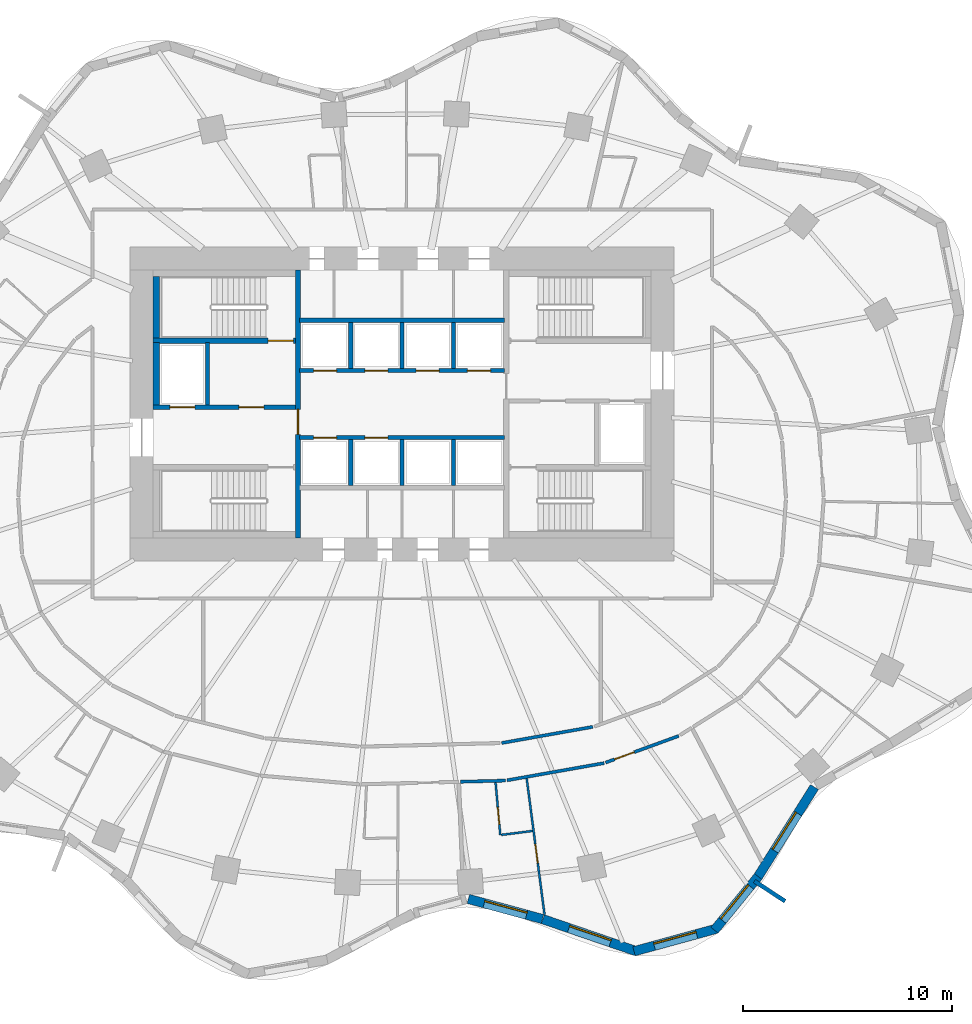
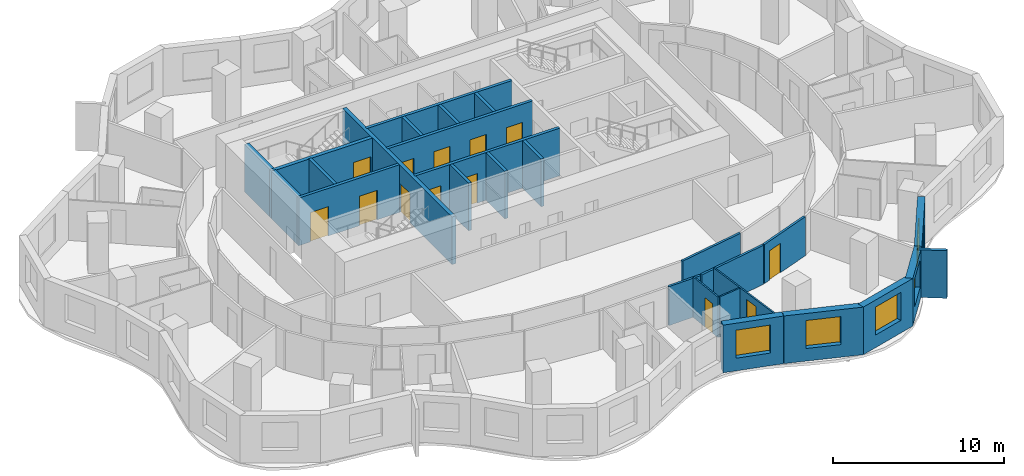
# One storey, part 5 of 10: 28 walls, 13 doors, 5 windows, 18 openings.
"""IFC4 building model written with IfcOpenShell, lengths in metres."""

from ifc_helpers import new_model, si_unit, direction, frame, frame_2d, origin, place, context, subcontext, project, spatial, rectangle, extrude, material, layer, layer_set, type_object, element, fill, save


model = new_model("IFC4")

# Units and contexts
model_context = context("Model", 3, precision=1e-05, world=origin(), true_north=direction((0.0, 1.0)))
body_context = subcontext(model_context, "Body", "Model", "MODEL_VIEW")
ifc_project = project(units=[si_unit("LENGTHUNIT", "METRE"), si_unit("AREAUNIT", "SQUARE_METRE"), si_unit("VOLUMEUNIT", "CUBIC_METRE"), si_unit("PLANEANGLEUNIT", "RADIAN"), si_unit("MASSUNIT", "GRAM", prefix="KILO")], contexts=[model_context])

# Site, building, storey
site_placement = place(None, origin())
site = spatial("IfcSite", under=ifc_project, at=site_placement, CompositionType="ELEMENT")
building_placement = place(site_placement, origin())
building = spatial("IfcBuilding", under=site, at=building_placement, Name="Rubra Terraces Tower", CompositionType="ELEMENT")
storey_placement = place(building_placement, frame((0.0, 0.0, 92.39990234375)))
storey = spatial("IfcBuildingStorey", under=building, at=storey_placement, Name="L21", CompositionType="ELEMENT", Elevation=92.39990234375)

# Wall, opening, window
ifc_material_1 = material(Name="Brick masonry red-brown", Category="masonry")
ifc_layer_1 = layer(ifc_material_1, 0.449951171875)
ifc_layer_set_1 = layer_set([ifc_layer_1], Name="Brick masonry red-brown")
wall_type_1 = type_object("IfcWallType", Name="Brick facade wall 450", PredefinedType="SOLIDWALL", material=ifc_layer_set_1)
wall_1_placement = place(storey_placement, frame((3.164306640625, -19.147216796875, 0.0), z_axis=(0.0, 0.0, 1.0), x_axis=(0.965039479998, -0.262104563191, 0.0)))
wall_1 = element("IfcWall", 1, at=wall_1_placement, inside=storey, type_object=wall_type_1, Name="Facade wall L21 bay 32", PredefinedType="SOLIDWALL", context=body_context, shape_type="SweptSolid", body=[
    extrude(rectangle(XDim=3.671875, YDim=0.449951171875, at=frame_2d((1.8359375, 0.0))), origin(), (0.0, 0.0, 1.0), 3.400146484375),
])
opening_1_placement = place(wall_1_placement, frame((0.785888671875, 0.0, 0.89990234375)))
opening_1 = element("IfcOpeningElement", 2, at=opening_1_placement, cuts=wall_1, Name="Opening W1", PredefinedType="OPENING", context=body_context, shape_type="SweptSolid", body=[
    extrude(rectangle(XDim=2.10009765625, YDim=2.0, at=frame_2d((1.050048828125, 1.0))), frame((0.0, 0.23486328125, 0.0), z_axis=(0.0, -1.0, 0.0), x_axis=(1.0, 0.0, 0.0)), (0.0, 0.0, 1.0), 0.469970703125),
])
ifc_material_2 = material(Name="Clear glass in aluminium frame", Category="aluminium")
window_type = type_object("IfcWindowType", Name="Fixed deep-set window 2100 x 2000", PartitioningType="SINGLE_PANEL", PredefinedType="WINDOW", material=ifc_material_2)
window_1_placement = place(opening_1_placement, origin())
window_1 = element("IfcWindow", 3, at=window_1_placement, inside=storey, type_object=window_type, Name="Window L21 bay 32", OverallHeight=2.0, OverallWidth=2.10009765625, PartitioningType="SINGLE_PANEL", PredefinedType="WINDOW", context=body_context, shape_type="SweptSolid", body=[
    extrude(rectangle(XDim=2.10009765625, YDim=2.0, at=frame_2d((1.050048828125, 1.0))), frame((0.0, 0.135009765625, 0.0), z_axis=(0.0, -1.0, 0.0), x_axis=(1.0, 0.0, 0.0)), (0.0, 0.0, 1.0), 0.06005859375),
])
fill(opening_1, window_1)

wall_2_placement = place(storey_placement, frame((6.722900390625, -20.114013671875, 0.0), z_axis=(0.0, 0.0, 1.0), x_axis=(0.945947299026, -0.324320377815, 0.0)))
wall_2 = element("IfcWall", 4, at=wall_2_placement, inside=storey, type_object=wall_type_1, Name="Facade wall L21 bay 33", PredefinedType="SOLIDWALL", context=body_context, shape_type="SweptSolid", body=[
    extrude(rectangle(XDim=4.74462890625, YDim=0.449951171875, at=frame_2d((2.372314453125, 0.0))), origin(), (0.0, 0.0, 1.0), 3.400146484375),
])
opening_2_placement = place(wall_2_placement, frame((1.322265625, 0.0, 0.89990234375)))
opening_2 = element("IfcOpeningElement", 5, at=opening_2_placement, cuts=wall_2, Name="Opening W1", PredefinedType="OPENING", context=body_context, shape_type="SweptSolid", body=[
    extrude(rectangle(XDim=2.10009765625, YDim=2.0, at=frame_2d((1.050048828125, 1.0))), frame((0.0, 0.23486328125, 0.0), z_axis=(0.0, -1.0, 0.0), x_axis=(1.0, 0.0, 0.0)), (0.0, 0.0, 1.0), 0.469970703125),
])
window_2_placement = place(opening_2_placement, origin())
window_2 = element("IfcWindow", 6, at=window_2_placement, inside=storey, type_object=window_type, Name="Window L21 bay 33", OverallHeight=2.0, OverallWidth=2.10009765625, PartitioningType="SINGLE_PANEL", PredefinedType="WINDOW", context=body_context, shape_type="SweptSolid", body=[
    extrude(rectangle(XDim=2.10009765625, YDim=2.0, at=frame_2d((1.050048828125, 1.0))), frame((0.0, 0.135009765625, 0.0), z_axis=(0.0, -1.0, 0.0), x_axis=(1.0, 0.0, 0.0)), (0.0, 0.0, 1.0), 0.06005859375),
])
fill(opening_2, window_2)

wall_3_placement = place(storey_placement, frame((11.08251953125, -21.64990234375, 0.0), z_axis=(0.0, 0.0, 1.0), x_axis=(0.964483204983, 0.264144179011, 0.0)))
wall_3 = element("IfcWall", 7, at=wall_3_placement, inside=storey, type_object=wall_type_1, Name="Facade wall L21 bay 34", PredefinedType="SOLIDWALL", context=body_context, shape_type="SweptSolid", body=[
    extrude(rectangle(XDim=4.103759765625, YDim=0.449951171875, at=frame_2d((2.0517578125, 0.0))), origin(), (0.0, 0.0, 1.0), 3.400146484375),
])
opening_3_placement = place(wall_3_placement, frame((1.001953125, 0.0, 0.89990234375)))
opening_3 = element("IfcOpeningElement", 8, at=opening_3_placement, cuts=wall_3, Name="Opening W1", PredefinedType="OPENING", context=body_context, shape_type="SweptSolid", body=[
    extrude(rectangle(XDim=2.10009765625, YDim=2.0, at=frame_2d((1.050048828125, 1.0))), frame((0.0, 0.23486328125, 0.0), z_axis=(0.0, -1.0, 0.0), x_axis=(1.0, 0.0, 0.0)), (0.0, 0.0, 1.0), 0.469970703125),
])
window_3_placement = place(opening_3_placement, origin())
window_3 = element("IfcWindow", 9, at=window_3_placement, inside=storey, type_object=window_type, Name="Window L21 bay 34", OverallHeight=2.0, OverallWidth=2.10009765625, PartitioningType="SINGLE_PANEL", PredefinedType="WINDOW", context=body_context, shape_type="SweptSolid", body=[
    extrude(rectangle(XDim=2.10009765625, YDim=2.0, at=frame_2d((1.050048828125, 1.0))), frame((0.0, 0.135009765625, 0.0), z_axis=(0.0, -1.0, 0.0), x_axis=(1.0, 0.0, 0.0)), (0.0, 0.0, 1.0), 0.06005859375),
])
fill(opening_3, window_3)

wall_4_placement = place(storey_placement, frame((14.925537109375, -20.640869140625, 0.0), z_axis=(0.0, 0.0, 1.0), x_axis=(0.631548074669, 0.775336720001, 0.0)))
wall_4 = element("IfcWall", 10, at=wall_4_placement, inside=storey, type_object=wall_type_1, Name="Facade wall L21 bay 35", PredefinedType="SOLIDWALL", context=body_context, shape_type="SweptSolid", body=[
    extrude(rectangle(XDim=3.3076171875, YDim=0.449951171875, at=frame_2d((1.65380859375, 0.0))), origin(), (0.0, 0.0, 1.0), 3.400146484375),
])
opening_4_placement = place(wall_4_placement, frame((0.603759765625, 0.0, 0.89990234375)))
opening_4 = element("IfcOpeningElement", 11, at=opening_4_placement, cuts=wall_4, Name="Opening W1", PredefinedType="OPENING", context=body_context, shape_type="SweptSolid", body=[
    extrude(rectangle(XDim=2.10009765625, YDim=2.0, at=frame_2d((1.050048828125, 1.0))), frame((0.0, 0.23486328125, 0.0), z_axis=(0.0, -1.0, 0.0), x_axis=(1.0, 0.0, 0.0)), (0.0, 0.0, 1.0), 0.469970703125),
])
window_4_placement = place(opening_4_placement, origin())
window_4 = element("IfcWindow", 12, at=window_4_placement, inside=storey, type_object=window_type, Name="Window L21 bay 35", OverallHeight=2.0, OverallWidth=2.10009765625, PartitioningType="SINGLE_PANEL", PredefinedType="WINDOW", context=body_context, shape_type="SweptSolid", body=[
    extrude(rectangle(XDim=2.10009765625, YDim=2.0, at=frame_2d((1.050048828125, 1.0))), frame((0.0, 0.135009765625, 0.0), z_axis=(0.0, -1.0, 0.0), x_axis=(1.0, 0.0, 0.0)), (0.0, 0.0, 1.0), 0.06005859375),
])
fill(opening_4, window_4)

wall_5_placement = place(storey_placement, frame((16.998291015625, -18.0986328125, 0.0), z_axis=(0.0, 0.0, 1.0), x_axis=(0.532745661304, 0.846275404559, 0.0)))
wall_5 = element("IfcWall", 13, at=wall_5_placement, inside=storey, type_object=wall_type_1, Name="Facade wall L21 bay 36", PredefinedType="SOLIDWALL", context=body_context, shape_type="SweptSolid", body=[
    extrude(rectangle(XDim=5.076171875, YDim=0.449951171875, at=frame_2d((2.5380859375, 0.0))), origin(), (0.0, 0.0, 1.0), 3.400146484375),
])
opening_5_placement = place(wall_5_placement, frame((1.488037109375, 0.0, 0.89990234375)))
opening_5 = element("IfcOpeningElement", 14, at=opening_5_placement, cuts=wall_5, Name="Opening W1", PredefinedType="OPENING", context=body_context, shape_type="SweptSolid", body=[
    extrude(rectangle(XDim=2.10009765625, YDim=2.0, at=frame_2d((1.050048828125, 1.0))), frame((0.0, 0.23486328125, 0.0), z_axis=(0.0, -1.0, 0.0), x_axis=(1.0, 0.0, 0.0)), (0.0, 0.0, 1.0), 0.469970703125),
])
window_5_placement = place(opening_5_placement, origin())
window_5 = element("IfcWindow", 15, at=window_5_placement, inside=storey, type_object=window_type, Name="Window L21 bay 36", OverallHeight=2.0, OverallWidth=2.10009765625, PartitioningType="SINGLE_PANEL", PredefinedType="WINDOW", context=body_context, shape_type="SweptSolid", body=[
    extrude(rectangle(XDim=2.10009765625, YDim=2.0, at=frame_2d((1.050048828125, 1.0))), frame((0.0, 0.135009765625, 0.0), z_axis=(0.0, -1.0, 0.0), x_axis=(1.0, 0.0, 0.0)), (0.0, 0.0, 1.0), 0.06005859375),
])
fill(opening_5, window_5)

# Walls
ifc_layer_2 = layer(ifc_material_1, 0.199951171875)
ifc_layer_set_2 = layer_set([ifc_layer_2], Name="Brick masonry red-brown")
wall_type_2 = type_object("IfcWallType", Name="Brick wind fin 200", PredefinedType="SOLIDWALL", material=ifc_layer_set_2)
wall_6_placement = place(storey_placement, frame((16.837890625, -18.298095703125, 0.0), z_axis=(0.0, 0.0, 1.0), x_axis=(0.835871900419, -0.548924554097, 0.0)))
element("IfcWall", 16, at=wall_6_placement, inside=storey, type_object=wall_type_2, Name="Wind fin L21 21", PredefinedType="SOLIDWALL", context=body_context, shape_type="SweptSolid", body=[
    extrude(rectangle(XDim=1.750244140625, YDim=0.199951171875, at=frame_2d((0.875, 0.0))), origin(), (0.0, 0.0, 1.0), 3.400146484375),
])
ifc_material_3 = material(Name="Plasterboard on steel stud, mineral wool infill", Category="steel")
ifc_layer_3 = layer(ifc_material_3, 0.14990234375)
ifc_layer_set_3 = layer_set([ifc_layer_3], Name="Plasterboard on steel stud, mineral wool infill")
wall_type_3 = type_object("IfcWallType", Name="CORRIDOR PARTITION 150", PredefinedType="PARTITIONING", material=ifc_layer_set_3)
wall_7_placement = place(storey_placement, frame((2.781494140625, -13.54931640625, 0.0), z_axis=(0.0, 0.0, 1.0), x_axis=(0.999665013714, 0.025881660615, 0.0)))
element("IfcWall", 17, at=wall_7_placement, inside=storey, type_object=wall_type_3, Name="PARTITION", PredefinedType="PARTITIONING", context=body_context, shape_type="SweptSolid", body=[
    extrude(rectangle(XDim=2.16015625, YDim=0.14990234375, at=frame_2d((1.080078125, 0.0))), origin(), (0.0, 0.0, 1.0), 2.7841796875),
])
wall_8_placement = place(storey_placement, frame((5.0146484375, -13.480224609375, 0.0), z_axis=(0.0, 0.0, 1.0), x_axis=(0.984637772103, 0.174609443467, 0.0)))
element("IfcWall", 18, at=wall_8_placement, inside=storey, type_object=wall_type_3, Name="PARTITION", PredefinedType="PARTITIONING", context=body_context, shape_type="SweptSolid", body=[
    extrude(rectangle(XDim=4.71484375, YDim=0.14990234375, at=frame_2d((2.357421875, 0.0))), origin(), (0.0, 0.0, 1.0), 2.7841796875),
])

# Wall, opening, door
wall_9_placement = place(storey_placement, frame((9.7275390625, -12.631103515625, 0.0), z_axis=(0.0, 0.0, 1.0), x_axis=(0.939626438181, 0.342201923826, 0.0)))
wall_9 = element("IfcWall", 19, at=wall_9_placement, inside=storey, type_object=wall_type_3, Name="PARTITION", PredefinedType="PARTITIONING", context=body_context, shape_type="SweptSolid", body=[
    extrude(rectangle(XDim=3.71630859375, YDim=0.14990234375, at=frame_2d((1.858154296875, 0.0))), origin(), (0.0, 0.0, 1.0), 2.7841796875),
])
opening_6_placement = place(wall_9_placement, frame((0.449951171875, 0.0, 0.0)))
opening_6 = element("IfcOpeningElement", 20, at=opening_6_placement, cuts=wall_9, Name="Opening 21-120", PredefinedType="OPENING", context=body_context, shape_type="SweptSolid", body=[
    extrude(rectangle(XDim=1.0, YDim=2.10009765625, at=frame_2d((0.5, 1.050048828125))), frame((0.0, 0.0849609375, 0.0), z_axis=(0.0, -1.0, 0.0), x_axis=(1.0, 0.0, 0.0)), (0.0, 0.0, 1.0), 0.169921875),
])
ifc_material_4 = material(Name="Painted timber door leaf", Category="wood")
door_type_1 = type_object("IfcDoorType", Name="ROOM DOOR 1000 X 2100", OperationType="SINGLE_SWING_LEFT", PredefinedType="DOOR", material=ifc_material_4)
door_1_placement = place(opening_6_placement, origin())
door_1 = element("IfcDoor", 21, at=door_1_placement, inside=storey, type_object=door_type_1, Name="DOOR 21-120", OperationType="SINGLE_SWING_RIGHT", OverallHeight=2.10009765625, OverallWidth=1.0, PredefinedType="DOOR", context=body_context, shape_type="SweptSolid", body=[
    extrude(rectangle(XDim=1.0, YDim=2.10009765625, at=frame_2d((0.5, 1.050048828125))), frame((0.0, 0.02490234375, 0.0), z_axis=(0.0, -1.0, 0.0), x_axis=(1.0, 0.0, 0.0)), (0.0, 0.0, 1.0), 0.050048828125),
])
fill(opening_6, door_1)

# Walls
wall_10_placement = place(storey_placement, frame((9.114501953125, -10.925048828125, 0.0), z_axis=(0.0, 0.0, 1.0), x_axis=(-0.984632605417, -0.174638576352, 0.0)))
element("IfcWall", 22, at=wall_10_placement, inside=storey, type_object=wall_type_3, Name="PARTITION", PredefinedType="PARTITIONING", context=body_context, shape_type="SweptSolid", body=[
    extrude(rectangle(XDim=4.423095703125, YDim=0.14990234375, at=frame_2d((2.21142578125, 0.0))), origin(), (0.0, 0.0, 1.0), 2.7841796875),
])
ifc_material_5 = material(Name="Concrete C40", Category="concrete")
ifc_layer_4 = layer(ifc_material_5, 0.300048828125)
ifc_layer_set_4 = layer_set([ifc_layer_4], Name="Concrete C40")
wall_type_4 = type_object("IfcWallType", Name="Core lining wall 300 concrete", PredefinedType="SOLIDWALL", material=ifc_layer_set_4)
wall_11_placement = place(storey_placement, frame((-11.75, 4.449951171875, 0.0), z_axis=(0.0, 0.0, 1.0), x_axis=(0.0, 1.0, 0.0)))
element("IfcWall", 23, at=wall_11_placement, inside=storey, type_object=wall_type_4, Name="CORE LINING WALL L21", PredefinedType="SOLIDWALL", context=body_context, shape_type="SweptSolid", body=[
    extrude(rectangle(XDim=3.0, YDim=0.300048828125, at=frame_2d((1.5, 0.0))), origin(), (0.0, 0.0, 1.0), 3.400146484375),
])
wall_12_placement = place(storey_placement, frame((-11.75, 7.64990234375, 0.0), z_axis=(0.0, 0.0, 1.0), x_axis=(0.0, 1.0, 0.0)))
element("IfcWall", 24, at=wall_12_placement, inside=storey, type_object=wall_type_4, Name="CORE LINING WALL L21", PredefinedType="SOLIDWALL", context=body_context, shape_type="SweptSolid", body=[
    extrude(rectangle(XDim=2.9501953125, YDim=0.300048828125, at=frame_2d((1.47509765625, 0.0))), origin(), (0.0, 0.0, 1.0), 3.400146484375),
])

# Wall, openings, doors
ifc_material_6 = material(Name="Concrete C30", Category="concrete")
ifc_layer_5 = layer(ifc_material_6, 0.199951171875)
ifc_layer_set_5 = layer_set([ifc_layer_5], Name="Concrete C30")
wall_type_5 = type_object("IfcWallType", Name="Core wall 200 concrete", PredefinedType="SOLIDWALL", material=ifc_layer_set_5)
wall_13_placement = place(storey_placement, frame((-11.89990234375, 4.35009765625, 0.0), z_axis=(0.0, 0.0, 1.0), x_axis=(1.0, 0.0, 0.0)))
wall_13 = element("IfcWall", 25, at=wall_13_placement, inside=storey, type_object=wall_type_5, Name="STAIR WALL L21", PredefinedType="SOLIDWALL", context=body_context, shape_type="SweptSolid", body=[
    extrude(rectangle(XDim=6.7998046875, YDim=0.199951171875, at=frame_2d((3.39990234375, 0.0))), origin(), (0.0, 0.0, 1.0), 3.400146484375),
])
opening_7_placement = place(wall_13_placement, frame((4.10009765625, 0.0, 0.0)))
opening_7 = element("IfcOpeningElement", 26, at=opening_7_placement, cuts=wall_13, Name="Opening L21.C05", PredefinedType="OPENING", context=body_context, shape_type="SweptSolid", body=[
    extrude(rectangle(XDim=1.199951171875, YDim=2.10009765625, at=frame_2d((0.60009765625, 1.050048828125))), frame((0.0, 0.10986328125, 0.0), z_axis=(0.0, -1.0, 0.0), x_axis=(1.0, 0.0, 0.0)), (0.0, 0.0, 1.0), 0.219970703125),
])
opening_8_placement = place(wall_13_placement, frame((0.800048828125, 0.0, 0.0)))
opening_8 = element("IfcOpeningElement", 27, at=opening_8_placement, cuts=wall_13, Name="Opening L21.C11", PredefinedType="OPENING", context=body_context, shape_type="SweptSolid", body=[
    extrude(rectangle(XDim=1.199951171875, YDim=2.10009765625, at=frame_2d((0.60009765625, 1.050048828125))), frame((0.0, 0.10986328125, 0.0), z_axis=(0.0, -1.0, 0.0), x_axis=(1.0, 0.0, 0.0)), (0.0, 0.0, 1.0), 0.219970703125),
])
ifc_material_7 = material(Name="Painted steel", Category="steel")
door_type_2 = type_object("IfcDoorType", Name="Fire door 1200x2100 single", OperationType="NOTDEFINED", PredefinedType="DOOR", material=ifc_material_7)
door_2_placement = place(opening_7_placement, origin())
door_2 = element("IfcDoor", 28, at=door_2_placement, inside=storey, type_object=door_type_2, Name="Stair vestibule door S2", OperationType="SINGLE_SWING_LEFT", OverallHeight=2.10009765625, OverallWidth=1.199951171875, PredefinedType="DOOR", context=body_context, shape_type="SweptSolid", body=[
    extrude(rectangle(XDim=1.199951171875, YDim=2.10009765625, at=frame_2d((0.60009765625, 1.050048828125))), frame((0.0, 0.02490234375, 0.0), z_axis=(0.0, -1.0, 0.0), x_axis=(1.0, 0.0, 0.0)), (0.0, 0.0, 1.0), 0.050048828125),
])
fill(opening_7, door_2)
ifc_material_8 = material(Name="Stainless steel", Category="steel")
door_type_3 = type_object("IfcDoorType", Name="Lift landing door 1200x2100", OperationType="NOTDEFINED", PredefinedType="DOOR", material=ifc_material_8)
door_3_placement = place(opening_8_placement, origin())
door_3 = element("IfcDoor", 29, at=door_3_placement, inside=storey, type_object=door_type_3, Name="Landing door FF1", OperationType="SLIDING_TO_RIGHT", OverallHeight=2.10009765625, OverallWidth=1.199951171875, PredefinedType="DOOR", context=body_context, shape_type="SweptSolid", body=[
    extrude(rectangle(XDim=1.199951171875, YDim=2.10009765625, at=frame_2d((0.60009765625, 1.050048828125))), frame((0.0, 0.02490234375, 0.0), z_axis=(0.0, -1.0, 0.0), x_axis=(1.0, 0.0, 0.0)), (0.0, 0.0, 1.0), 0.050048828125),
])
fill(opening_8, door_3)

# Wall
wall_14_placement = place(storey_placement, frame((-9.300048828125, 4.449951171875, 0.0), z_axis=(0.0, 0.0, 1.0), x_axis=(0.0, 1.0, 0.0)))
element("IfcWall", 30, at=wall_14_placement, inside=storey, type_object=wall_type_5, Name="STAIR WALL L21", PredefinedType="SOLIDWALL", context=body_context, shape_type="SweptSolid", body=[
    extrude(rectangle(XDim=3.0, YDim=0.199951171875, at=frame_2d((1.5, 0.0))), origin(), (0.0, 0.0, 1.0), 3.400146484375),
])

# Wall, openings, doors
wall_15_placement = place(storey_placement, frame((-4.89990234375, 2.89990234375, 0.0), z_axis=(0.0, 0.0, 1.0), x_axis=(1.0, 0.0, 0.0)))
wall_15 = element("IfcWall", 31, at=wall_15_placement, inside=storey, type_object=wall_type_5, Name="LIFT SHAFT WALL L21", PredefinedType="SOLIDWALL", context=body_context, shape_type="SweptSolid", body=[
    extrude(rectangle(XDim=9.7998046875, YDim=0.199951171875, at=frame_2d((4.89990234375, 0.0))), origin(), (0.0, 0.0, 1.0), 3.400146484375),
])
opening_9_placement = place(wall_15_placement, frame((0.675048828125, 0.0, 0.0)))
opening_9 = element("IfcOpeningElement", 32, at=opening_9_placement, cuts=wall_15, Name="Opening L21.C13", PredefinedType="OPENING", context=body_context, shape_type="SweptSolid", body=[
    extrude(rectangle(XDim=1.10009765625, YDim=2.10009765625, at=frame_2d((0.550048828125, 1.050048828125))), frame((0.0, 0.10986328125, 0.0), z_axis=(0.0, -1.0, 0.0), x_axis=(1.0, 0.0, 0.0)), (0.0, 0.0, 1.0), 0.219970703125),
])
opening_10_placement = place(wall_15_placement, frame((3.125, 0.0, 0.0)))
opening_10 = element("IfcOpeningElement", 33, at=opening_10_placement, cuts=wall_15, Name="Opening L21.C14", PredefinedType="OPENING", context=body_context, shape_type="SweptSolid", body=[
    extrude(rectangle(XDim=1.10009765625, YDim=2.10009765625, at=frame_2d((0.550048828125, 1.050048828125))), frame((0.0, 0.10986328125, 0.0), z_axis=(0.0, -1.0, 0.0), x_axis=(1.0, 0.0, 0.0)), (0.0, 0.0, 1.0), 0.219970703125),
])
door_type_4 = type_object("IfcDoorType", Name="Lift landing door 1100x2100", OperationType="NOTDEFINED", PredefinedType="DOOR", material=ifc_material_8)
door_4_placement = place(opening_9_placement, origin())
door_4 = element("IfcDoor", 34, at=door_4_placement, inside=storey, type_object=door_type_4, Name="Landing door LB1", OperationType="SLIDING_TO_RIGHT", OverallHeight=2.10009765625, OverallWidth=1.10009765625, PredefinedType="DOOR", context=body_context, shape_type="SweptSolid", body=[
    extrude(rectangle(XDim=1.10009765625, YDim=2.10009765625, at=frame_2d((0.550048828125, 1.050048828125))), frame((0.0, 0.02490234375, 0.0), z_axis=(0.0, -1.0, 0.0), x_axis=(1.0, 0.0, 0.0)), (0.0, 0.0, 1.0), 0.050048828125),
])
fill(opening_9, door_4)
door_5_placement = place(opening_10_placement, origin())
door_5 = element("IfcDoor", 35, at=door_5_placement, inside=storey, type_object=door_type_4, Name="Landing door LB2", OperationType="SLIDING_TO_LEFT", OverallHeight=2.10009765625, OverallWidth=1.10009765625, PredefinedType="DOOR", context=body_context, shape_type="SweptSolid", body=[
    extrude(rectangle(XDim=1.10009765625, YDim=2.10009765625, at=frame_2d((0.550048828125, 1.050048828125))), frame((0.0, 0.02490234375, 0.0), z_axis=(0.0, -1.0, 0.0), x_axis=(1.0, 0.0, 0.0)), (0.0, 0.0, 1.0), 0.050048828125),
])
fill(opening_10, door_5)

wall_16_placement = place(storey_placement, frame((-4.89990234375, 6.10009765625, 0.0), z_axis=(0.0, 0.0, 1.0), x_axis=(1.0, 0.0, 0.0)))
wall_16 = element("IfcWall", 36, at=wall_16_placement, inside=storey, type_object=wall_type_5, Name="LIFT SHAFT WALL L21", PredefinedType="SOLIDWALL", context=body_context, shape_type="SweptSolid", body=[
    extrude(rectangle(XDim=9.7998046875, YDim=0.199951171875, at=frame_2d((4.89990234375, 0.0))), origin(), (0.0, 0.0, 1.0), 3.400146484375),
])
opening_11_placement = place(wall_16_placement, frame((0.675048828125, 0.0, 0.0)))
opening_11 = element("IfcOpeningElement", 37, at=opening_11_placement, cuts=wall_16, Name="Opening L21.C15", PredefinedType="OPENING", context=body_context, shape_type="SweptSolid", body=[
    extrude(rectangle(XDim=1.10009765625, YDim=2.10009765625, at=frame_2d((0.550048828125, 1.050048828125))), frame((0.0, 0.10986328125, 0.0), z_axis=(0.0, -1.0, 0.0), x_axis=(1.0, 0.0, 0.0)), (0.0, 0.0, 1.0), 0.219970703125),
])
opening_12_placement = place(wall_16_placement, frame((3.125, 0.0, 0.0)))
opening_12 = element("IfcOpeningElement", 38, at=opening_12_placement, cuts=wall_16, Name="Opening L21.C16", PredefinedType="OPENING", context=body_context, shape_type="SweptSolid", body=[
    extrude(rectangle(XDim=1.10009765625, YDim=2.10009765625, at=frame_2d((0.550048828125, 1.050048828125))), frame((0.0, 0.10986328125, 0.0), z_axis=(0.0, -1.0, 0.0), x_axis=(1.0, 0.0, 0.0)), (0.0, 0.0, 1.0), 0.219970703125),
])
opening_13_placement = place(wall_16_placement, frame((5.574951171875, 0.0, 0.0)))
opening_13 = element("IfcOpeningElement", 39, at=opening_13_placement, cuts=wall_16, Name="Opening L21.C17", PredefinedType="OPENING", context=body_context, shape_type="SweptSolid", body=[
    extrude(rectangle(XDim=1.10009765625, YDim=2.10009765625, at=frame_2d((0.550048828125, 1.050048828125))), frame((0.0, 0.10986328125, 0.0), z_axis=(0.0, -1.0, 0.0), x_axis=(1.0, 0.0, 0.0)), (0.0, 0.0, 1.0), 0.219970703125),
])
opening_14_placement = place(wall_16_placement, frame((8.02490234375, 0.0, 0.0)))
opening_14 = element("IfcOpeningElement", 40, at=opening_14_placement, cuts=wall_16, Name="Opening L21.C18", PredefinedType="OPENING", context=body_context, shape_type="SweptSolid", body=[
    extrude(rectangle(XDim=1.10009765625, YDim=2.10009765625, at=frame_2d((0.550048828125, 1.050048828125))), frame((0.0, 0.10986328125, 0.0), z_axis=(0.0, -1.0, 0.0), x_axis=(1.0, 0.0, 0.0)), (0.0, 0.0, 1.0), 0.219970703125),
])
door_6_placement = place(opening_11_placement, origin())
door_6 = element("IfcDoor", 41, at=door_6_placement, inside=storey, type_object=door_type_4, Name="Landing door LB3", OperationType="SLIDING_TO_RIGHT", OverallHeight=2.10009765625, OverallWidth=1.10009765625, PredefinedType="DOOR", context=body_context, shape_type="SweptSolid", body=[
    extrude(rectangle(XDim=1.10009765625, YDim=2.10009765625, at=frame_2d((0.550048828125, 1.050048828125))), frame((0.0, 0.02490234375, 0.0), z_axis=(0.0, -1.0, 0.0), x_axis=(1.0, 0.0, 0.0)), (0.0, 0.0, 1.0), 0.050048828125),
])
fill(opening_11, door_6)
door_7_placement = place(opening_12_placement, origin())
door_7 = element("IfcDoor", 42, at=door_7_placement, inside=storey, type_object=door_type_4, Name="Landing door LB4", OperationType="SLIDING_TO_LEFT", OverallHeight=2.10009765625, OverallWidth=1.10009765625, PredefinedType="DOOR", context=body_context, shape_type="SweptSolid", body=[
    extrude(rectangle(XDim=1.10009765625, YDim=2.10009765625, at=frame_2d((0.550048828125, 1.050048828125))), frame((0.0, 0.02490234375, 0.0), z_axis=(0.0, -1.0, 0.0), x_axis=(1.0, 0.0, 0.0)), (0.0, 0.0, 1.0), 0.050048828125),
])
fill(opening_12, door_7)
door_8_placement = place(opening_13_placement, origin())
door_8 = element("IfcDoor", 43, at=door_8_placement, inside=storey, type_object=door_type_4, Name="Landing door LB5", OperationType="SLIDING_TO_RIGHT", OverallHeight=2.10009765625, OverallWidth=1.10009765625, PredefinedType="DOOR", context=body_context, shape_type="SweptSolid", body=[
    extrude(rectangle(XDim=1.10009765625, YDim=2.10009765625, at=frame_2d((0.550048828125, 1.050048828125))), frame((0.0, 0.02490234375, 0.0), z_axis=(0.0, -1.0, 0.0), x_axis=(1.0, 0.0, 0.0)), (0.0, 0.0, 1.0), 0.050048828125),
])
fill(opening_13, door_8)
door_9_placement = place(opening_14_placement, origin())
door_9 = element("IfcDoor", 44, at=door_9_placement, inside=storey, type_object=door_type_4, Name="Landing door LB6", OperationType="SLIDING_TO_LEFT", OverallHeight=2.10009765625, OverallWidth=1.10009765625, PredefinedType="DOOR", context=body_context, shape_type="SweptSolid", body=[
    extrude(rectangle(XDim=1.10009765625, YDim=2.10009765625, at=frame_2d((0.550048828125, 1.050048828125))), frame((0.0, 0.02490234375, 0.0), z_axis=(0.0, -1.0, 0.0), x_axis=(1.0, 0.0, 0.0)), (0.0, 0.0, 1.0), 0.050048828125),
])
fill(opening_14, door_9)

# Walls
wall_17_placement = place(storey_placement, frame((-4.89990234375, 8.5, 0.0), z_axis=(0.0, 0.0, 1.0), x_axis=(1.0, 0.0, 0.0)))
element("IfcWall", 45, at=wall_17_placement, inside=storey, type_object=wall_type_5, Name="LIFT SHAFT WALL L21", PredefinedType="SOLIDWALL", context=body_context, shape_type="SweptSolid", body=[
    extrude(rectangle(XDim=9.7998046875, YDim=0.199951171875, at=frame_2d((4.89990234375, 0.0))), origin(), (0.0, 0.0, 1.0), 3.400146484375),
])
for number, where, z_axis, x_axis, name in (
    (46, (-2.449951171875, 0.60009765625, 0.0), (0.0, 0.0, 1.0), (0.0, 1.0, 0.0), "LIFT SHAFT WALL L21"),
    (47, (0.0, 0.60009765625, 0.0), (0.0, 0.0, 1.0), (0.0, 1.0, 0.0), "LIFT SHAFT WALL L21"),
    (48, (2.449951171875, 0.60009765625, 0.0), (0.0, 0.0, 1.0), (0.0, 1.0, 0.0), "LIFT SHAFT WALL L21"),
    (49, (-2.449951171875, 6.199951171875, 0.0), (0.0, 0.0, 1.0), (0.0, 1.0, 0.0), "LIFT SHAFT WALL L21"),
    (50, (0.0, 6.199951171875, 0.0), (0.0, 0.0, 1.0), (0.0, 1.0, 0.0), "LIFT SHAFT WALL L21"),
    (51, (2.449951171875, 6.199951171875, 0.0), (0.0, 0.0, 1.0), (0.0, 1.0, 0.0), "LIFT SHAFT WALL L21"),
):
    element("IfcWall", number, at=place(storey_placement, frame(where, z_axis=z_axis, x_axis=x_axis)), inside=storey, type_object=wall_type_5, Name=name, PredefinedType="SOLIDWALL", context=body_context, shape_type="SweptSolid", body=[
        extrude(rectangle(XDim=2.199951171875, YDim=0.199951171875, at=frame_2d((1.10009765625, 0.0))), origin(), (0.0, 0.0, 1.0), 3.400146484375),
    ])

# Wall, opening, door
ifc_material_9 = material(Name="Plasterboard on steel stud", Category="steel")
ifc_layer_6 = layer(ifc_material_9, 0.10009765625)
ifc_layer_set_6 = layer_set([ifc_layer_6], Name="Plasterboard on steel stud")
wall_type_6 = type_object("IfcWallType", Name="ROOM PARTITION 100", PredefinedType="PARTITIONING", material=ifc_layer_set_6)
wall_18_placement = place(storey_placement, frame((6.80712890625, -19.905029296875, 0.0), z_axis=(0.0, 0.0, 1.0), x_axis=(-0.129895112789, 0.991527740244, 0.0)))
wall_18 = element("IfcWall", 52, at=wall_18_placement, inside=storey, type_object=wall_type_6, Name="PARTITION", PredefinedType="PARTITIONING", context=body_context, shape_type="SweptSolid", body=[
    extrude(rectangle(XDim=6.57080078125, YDim=0.10009765625, at=frame_2d((3.285400390625, 0.0))), origin(), (0.0, 0.0, 1.0), 2.884033203125),
])
opening_15_placement = place(wall_18_placement, frame((2.49609375, 0.0, 0.0)))
opening_15 = element("IfcOpeningElement", 53, at=opening_15_placement, cuts=wall_18, Name="Opening 21-119", PredefinedType="OPENING", context=body_context, shape_type="SweptSolid", body=[
    extrude(rectangle(XDim=0.89990234375, YDim=2.39990234375, at=frame_2d((0.449951171875, 1.199951171875))), frame((0.0, 0.06005859375, 0.0), z_axis=(0.0, -1.0, 0.0), x_axis=(1.0, 0.0, 0.0)), (0.0, 0.0, 1.0), 0.1201171875),
])
ifc_material_10 = material(Name="Veneered timber door leaf, fire-rated", Category="wood")
door_type_5 = type_object("IfcDoorType", Name="SUITE ENTRANCE DOOR 900 X 2400", OperationType="SINGLE_SWING_LEFT", PredefinedType="DOOR", material=ifc_material_10)
door_10_placement = place(opening_15_placement, origin())
door_10 = element("IfcDoor", 54, at=door_10_placement, inside=storey, type_object=door_type_5, Name="DOOR 21-119", OperationType="SINGLE_SWING_LEFT", OverallHeight=2.39990234375, OverallWidth=0.89990234375, PredefinedType="DOOR", context=body_context, shape_type="SweptSolid", body=[
    extrude(rectangle(XDim=0.89990234375, YDim=2.39990234375, at=frame_2d((0.449951171875, 1.199951171875))), frame((0.0, 0.02490234375, 0.0), z_axis=(0.0, -1.0, 0.0), x_axis=(1.0, 0.0, 0.0)), (0.0, 0.0, 1.0), 0.050048828125),
])
fill(opening_15, door_10)

wall_19_placement = place(storey_placement, frame((4.46630859375, -13.58056640625, 0.0), z_axis=(0.0, 0.0, 1.0), x_axis=(0.089541778651, -0.995983067063, 0.0)))
wall_19 = element("IfcWall", 55, at=wall_19_placement, inside=storey, type_object=wall_type_6, Name="PARTITION", PredefinedType="PARTITIONING", context=body_context, shape_type="SweptSolid", body=[
    extrude(rectangle(XDim=2.52490234375, YDim=0.10009765625, at=frame_2d((1.262451171875, 0.0))), origin(), (0.0, 0.0, 1.0), 2.884033203125),
])
opening_16_placement = place(wall_19_placement, frame((1.199951171875, 0.0, 0.0)))
opening_16 = element("IfcOpeningElement", 56, at=opening_16_placement, cuts=wall_19, Name="Opening 21-118", PredefinedType="OPENING", context=body_context, shape_type="SweptSolid", body=[
    extrude(rectangle(XDim=0.800048828125, YDim=2.10009765625, at=frame_2d((0.39990234375, 1.050048828125))), frame((0.0, 0.06005859375, 0.0), z_axis=(0.0, -1.0, 0.0), x_axis=(1.0, 0.0, 0.0)), (0.0, 0.0, 1.0), 0.1201171875),
])
door_type_6 = type_object("IfcDoorType", Name="BATHROOM DOOR 800 X 2100", OperationType="SINGLE_SWING_LEFT", PredefinedType="DOOR", material=ifc_material_4)
door_11_placement = place(opening_16_placement, origin())
door_11 = element("IfcDoor", 57, at=door_11_placement, inside=storey, type_object=door_type_6, Name="DOOR 21-118", OperationType="SINGLE_SWING_LEFT", OverallHeight=2.10009765625, OverallWidth=0.800048828125, PredefinedType="DOOR", context=body_context, shape_type="SweptSolid", body=[
    extrude(rectangle(XDim=0.800048828125, YDim=2.10009765625, at=frame_2d((0.39990234375, 1.050048828125))), frame((0.0, 0.02490234375, 0.0), z_axis=(0.0, -1.0, 0.0), x_axis=(1.0, 0.0, 0.0)), (0.0, 0.0, 1.0), 0.050048828125),
])
fill(opening_16, door_11)

# Wall
wall_20_placement = place(storey_placement, frame((4.741943359375, -16.089111328125, 0.0), z_axis=(0.0, 0.0, 1.0), x_axis=(0.992013080374, 0.126135040205, 0.0)))
element("IfcWall", 58, at=wall_20_placement, inside=storey, type_object=wall_type_6, Name="PARTITION", PredefinedType="PARTITIONING", context=body_context, shape_type="SweptSolid", body=[
    extrude(rectangle(XDim=1.501953125, YDim=0.10009765625, at=frame_2d((0.7509765625, 0.0))), origin(), (0.0, 0.0, 1.0), 2.884033203125),
])

# Wall, opening, door
ifc_layer_7 = layer(ifc_material_5, 0.25)
ifc_layer_set_7 = layer_set([ifc_layer_7], Name="Concrete C40")
wall_type_7 = type_object("IfcWallType", Name="Stair enclosure wall 250 concrete", PredefinedType="SOLIDWALL", material=ifc_layer_set_7)
wall_21_placement = place(storey_placement, frame((-11.89990234375, 7.52490234375, 0.0), z_axis=(0.0, 0.0, 1.0), x_axis=(1.0, 0.0, 0.0)))
wall_21 = element("IfcWall", 59, at=wall_21_placement, inside=storey, type_object=wall_type_7, Name="STAIR WALL L21", PredefinedType="SOLIDWALL", context=body_context, shape_type="SweptSolid", body=[
    extrude(rectangle(XDim=6.7998046875, YDim=0.25, at=frame_2d((3.39990234375, 0.0))), origin(), (0.0, 0.0, 1.0), 3.400146484375),
])
opening_17_placement = place(wall_21_placement, frame((5.5, 0.0, 0.0)))
opening_17 = element("IfcOpeningElement", 60, at=opening_17_placement, cuts=wall_21, Name="Opening L21.C09", PredefinedType="OPENING", context=body_context, shape_type="SweptSolid", body=[
    extrude(rectangle(XDim=1.199951171875, YDim=2.10009765625, at=frame_2d((0.60009765625, 1.050048828125))), frame((0.0, 0.135009765625, 0.0), z_axis=(0.0, -1.0, 0.0), x_axis=(1.0, 0.0, 0.0)), (0.0, 0.0, 1.0), 0.27001953125),
])
door_12_placement = place(opening_17_placement, origin())
door_12 = element("IfcDoor", 61, at=door_12_placement, inside=storey, type_object=door_type_2, Name="Stair door S2", OperationType="SINGLE_SWING_LEFT", OverallHeight=2.10009765625, OverallWidth=1.199951171875, PredefinedType="DOOR", context=body_context, shape_type="SweptSolid", body=[
    extrude(rectangle(XDim=1.199951171875, YDim=2.10009765625, at=frame_2d((0.60009765625, 1.050048828125))), frame((0.0, 0.02490234375, 0.0), z_axis=(0.0, -1.0, 0.0), x_axis=(1.0, 0.0, 0.0)), (0.0, 0.0, 1.0), 0.050048828125),
])
fill(opening_17, door_12)

wall_22_placement = place(storey_placement, frame((-4.97509765625, -1.89990234375, 0.0), z_axis=(0.0, 0.0, 1.0), x_axis=(0.0, 1.0, 0.0)))
wall_22 = element("IfcWall", 62, at=wall_22_placement, inside=storey, type_object=wall_type_7, Name="CORE LOBBY WALL L21", PredefinedType="SOLIDWALL", context=body_context, shape_type="SweptSolid", body=[
    extrude(rectangle(XDim=12.7998046875, YDim=0.25, at=frame_2d((6.39990234375, 0.0))), origin(), (0.0, 0.0, 1.0), 3.400146484375),
])
opening_18_placement = place(wall_22_placement, frame((4.949951171875, 0.0, 0.0)))
opening_18 = element("IfcOpeningElement", 63, at=opening_18_placement, cuts=wall_22, Name="Opening L21.C03", PredefinedType="OPENING", context=body_context, shape_type="SweptSolid", body=[
    extrude(rectangle(XDim=1.199951171875, YDim=2.10009765625, at=frame_2d((0.60009765625, 1.050048828125))), frame((0.0, 0.135009765625, 0.0), z_axis=(0.0, -1.0, 0.0), x_axis=(1.0, 0.0, 0.0)), (0.0, 0.0, 1.0), 0.27001953125),
])
door_13_placement = place(opening_18_placement, origin())
door_13 = element("IfcDoor", 64, at=door_13_placement, inside=storey, type_object=door_type_2, Name="Firefighting lobby door FF1", OperationType="SINGLE_SWING_LEFT", OverallHeight=2.10009765625, OverallWidth=1.199951171875, PredefinedType="DOOR", context=body_context, shape_type="SweptSolid", body=[
    extrude(rectangle(XDim=1.199951171875, YDim=2.10009765625, at=frame_2d((0.60009765625, 1.050048828125))), frame((0.0, 0.02490234375, 0.0), z_axis=(0.0, -1.0, 0.0), x_axis=(1.0, 0.0, 0.0)), (0.0, 0.0, 1.0), 0.050048828125),
])
fill(opening_18, door_13)

save(model, "model.ifc")
